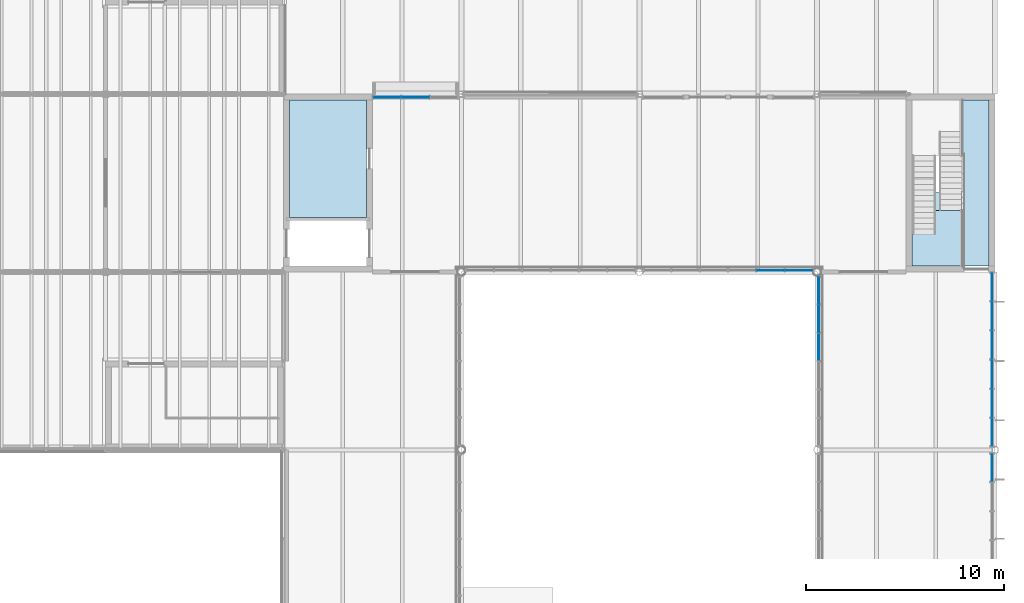
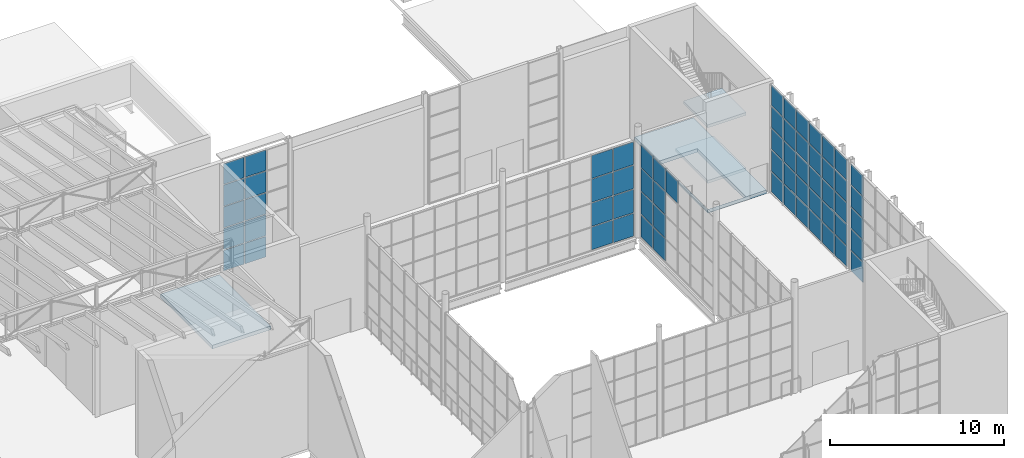
# One storey, part 73 of 90: 62 plates, 4 slabs, 6 elements without a shape of their own.
"""IFC4 building model written with IfcOpenShell, lengths in metres."""

from ifc_helpers import new_model, si_unit, direction, frame, origin, origin_2d, place, context, subcontext, project, spatial, polyline, rectangle, outline, extrude, material, layer, layer_set, type_object, element, aggregate, save


model = new_model("IFC4")

# Units and contexts
model_context = context("Model", 3, precision=1e-05, world=origin(), true_north=direction((0.0, 1.0)))
body_context = subcontext(model_context, "Body", "Model", "MODEL_VIEW")
ifc_project = project(units=[si_unit("LENGTHUNIT", "METRE"), si_unit("AREAUNIT", "SQUARE_METRE"), si_unit("VOLUMEUNIT", "CUBIC_METRE"), si_unit("PLANEANGLEUNIT", "RADIAN"), si_unit("MASSUNIT", "GRAM", prefix="KILO")], contexts=[model_context])

# Site, building, storey
site_placement = place(None, origin())
site = spatial("IfcSite", under=ifc_project, at=site_placement, CompositionType="ELEMENT")
building_placement = place(site_placement, origin())
building = spatial("IfcBuilding", under=site, at=building_placement, Name="Halyard Row Museum", CompositionType="ELEMENT")
storey_placement = place(building_placement, frame((0.0, 0.0, 13.39990234375)))
storey = spatial("IfcBuildingStorey", under=building, at=storey_placement, Name="L03", CompositionType="ELEMENT", Elevation=13.39990234375)

# Slabs
ifc_material_1 = material(Name="Concrete 40 MPa", Category="concrete")
ifc_layer_1 = layer(ifc_material_1, 0.25)
ifc_layer_set_1 = layer_set([ifc_layer_1], Name="Concrete 40 MPa")
slab_type_1 = type_object("IfcSlabType", Name="Core floor slab 250", PredefinedType="FLOOR", material=ifc_layer_set_1)
slab_1_placement = place(storey_placement, frame((0.0, 0.0, -0.25)))
element("IfcSlab", 1, at=slab_1_placement, inside=storey, type_object=slab_type_1, Name="Core floor K2C L03", PredefinedType="FLOOR", context=body_context, shape_type="SweptSolid", body=[
    extrude(outline(polyline([(107.699951171875, 35.699951171875), (103.800048828125, 35.699951171875), (103.800048828125, 27.300048828125), (107.699951171875, 27.300048828125), (107.699951171875, 35.699951171875)]), holes=[polyline([(106.346923828125, 27.302978515625), (103.802978515625, 27.302978515625), (103.802978515625, 32.89697265625), (106.346923828125, 32.89697265625), (106.346923828125, 27.302978515625)])]), origin(), (0.0, 0.0, 1.0), 0.25),
])
slab_2_placement = place(storey_placement, frame((0.0, 0.0, -0.25)))
element("IfcSlab", 2, at=slab_2_placement, inside=storey, type_object=slab_type_1, Name="Core floor K7 L03", PredefinedType="FLOOR", context=body_context, shape_type="SweptSolid", body=[
    extrude(outline(polyline([(76.199951171875, 35.699951171875), (72.300048828125, 35.699951171875), (72.300048828125, 29.75), (76.199951171875, 29.75), (76.199951171875, 35.699951171875)])), origin(), (0.0, 0.0, 1.0), 0.25),
])

# Curtain wall, plates
ifc_material_2 = material(Name="Double glazed unit, low-emissivity", Category="glass")
ifc_layer_2 = layer(ifc_material_2, 0.219970703125)
ifc_layer_set_2 = layer_set([ifc_layer_2], Name="Double glazed unit, low-emissivity")
curtain_wall_type_1 = type_object("IfcCurtainWallType", Name="Curtain wall unitised 220 deep", PredefinedType="NOTDEFINED", material=ifc_layer_set_2)
curtain_wall_1_placement = place(storey_placement, origin())
curtain_wall_1 = element("IfcCurtainWall", 3, at=curtain_wall_1_placement, inside=storey, type_object=curtain_wall_type_1, Name="Curtain wall CW048", PredefinedType="NOTDEFINED")
ifc_material_3 = material(Name="Double glazed unit, low-emissivity", Category="glass")
ifc_layer_3 = layer(ifc_material_3, 0.035888671875)
ifc_layer_set_3 = layer_set([ifc_layer_3], Name="Double glazed unit, low-emissivity")
plate_type_1 = type_object("IfcPlateType", Name="Curtain wall glazed panel CP3 36", PredefinedType="CURTAIN_PANEL", material=ifc_layer_set_3)
plate_1_placement = place(storey_placement, frame((107.840087890625, 17.097412109375, 0.06005859375), z_axis=(0.0, 0.0, 1.0), x_axis=(0.0, 1.0, 0.0)))
plate_1 = element("IfcPlate", 4, at=plate_1_placement, type_object=plate_type_1, Name="CW048 panel 6.1", PredefinedType="CURTAIN_PANEL", context=body_context, shape_type="SweptSolid", body=[
    extrude(rectangle(XDim=1.385009765625, YDim=0.035888671875, at=origin_2d()), origin(), (0.0, 0.0, 1.0), 1.43701171875),
])
plate_2_placement = place(storey_placement, frame((107.840087890625, 17.097412109375, 1.55712890625), z_axis=(0.0, 0.0, 1.0), x_axis=(0.0, 1.0, 0.0)))
plate_2 = element("IfcPlate", 5, at=plate_2_placement, type_object=plate_type_1, Name="CW048 panel 6.2", PredefinedType="CURTAIN_PANEL", context=body_context, shape_type="SweptSolid", body=[
    extrude(rectangle(XDim=1.385009765625, YDim=0.035888671875, at=origin_2d()), origin(), (0.0, 0.0, 1.0), 1.467041015625),
])
plate_3_placement = place(storey_placement, frame((107.840087890625, 17.097412109375, 3.083984375), z_axis=(0.0, 0.0, 1.0), x_axis=(0.0, 1.0, 0.0)))
plate_3 = element("IfcPlate", 6, at=plate_3_placement, type_object=plate_type_1, Name="CW048 panel 6.3", PredefinedType="CURTAIN_PANEL", context=body_context, shape_type="SweptSolid", body=[
    extrude(rectangle(XDim=1.385009765625, YDim=0.035888671875, at=origin_2d()), origin(), (0.0, 0.0, 1.0), 1.467041015625),
])
plate_4_placement = place(storey_placement, frame((107.840087890625, 17.097412109375, 4.61083984375), z_axis=(0.0, 0.0, 1.0), x_axis=(0.0, 1.0, 0.0)))
plate_4 = element("IfcPlate", 7, at=plate_4_placement, type_object=plate_type_1, Name="CW048 panel 6.4", PredefinedType="CURTAIN_PANEL", context=body_context, shape_type="SweptSolid", body=[
    extrude(rectangle(XDim=1.385009765625, YDim=0.035888671875, at=origin_2d()), origin(), (0.0, 0.0, 1.0), 1.467041015625),
])
plate_5_placement = place(storey_placement, frame((107.840087890625, 17.097412109375, 6.13818359375), z_axis=(0.0, 0.0, 1.0), x_axis=(0.0, 1.0, 0.0)))
plate_5 = element("IfcPlate", 8, at=plate_5_placement, type_object=plate_type_1, Name="CW048 panel 6.5", PredefinedType="CURTAIN_PANEL", context=body_context, shape_type="SweptSolid", body=[
    extrude(rectangle(XDim=1.385009765625, YDim=0.035888671875, at=origin_2d()), origin(), (0.0, 0.0, 1.0), 1.43701171875),
])
aggregate(curtain_wall_1, [plate_1, plate_2, plate_3, plate_4, plate_5])

curtain_wall_2_placement = place(storey_placement, origin())
curtain_wall_2 = element("IfcCurtainWall", 9, at=curtain_wall_2_placement, inside=storey, type_object=curtain_wall_type_1, Name="Curtain wall CW049", PredefinedType="NOTDEFINED")
plate_6_placement = place(storey_placement, frame((107.840087890625, 18.902587890625, 0.06005859375), z_axis=(0.0, 0.0, 1.0), x_axis=(0.0, 1.0, 0.0)))
plate_6 = element("IfcPlate", 10, at=plate_6_placement, type_object=plate_type_1, Name="CW049 panel 1.1", PredefinedType="CURTAIN_PANEL", context=body_context, shape_type="SweptSolid", body=[
    extrude(rectangle(XDim=1.385009765625, YDim=0.035888671875, at=origin_2d()), origin(), (0.0, 0.0, 1.0), 1.43701171875),
])
plate_7_placement = place(storey_placement, frame((107.840087890625, 18.902587890625, 1.55712890625), z_axis=(0.0, 0.0, 1.0), x_axis=(0.0, 1.0, 0.0)))
plate_7 = element("IfcPlate", 11, at=plate_7_placement, type_object=plate_type_1, Name="CW049 panel 1.2", PredefinedType="CURTAIN_PANEL", context=body_context, shape_type="SweptSolid", body=[
    extrude(rectangle(XDim=1.385009765625, YDim=0.035888671875, at=origin_2d()), origin(), (0.0, 0.0, 1.0), 1.467041015625),
])
plate_8_placement = place(storey_placement, frame((107.840087890625, 18.902587890625, 3.083984375), z_axis=(0.0, 0.0, 1.0), x_axis=(0.0, 1.0, 0.0)))
plate_8 = element("IfcPlate", 12, at=plate_8_placement, type_object=plate_type_1, Name="CW049 panel 1.3", PredefinedType="CURTAIN_PANEL", context=body_context, shape_type="SweptSolid", body=[
    extrude(rectangle(XDim=1.385009765625, YDim=0.035888671875, at=origin_2d()), origin(), (0.0, 0.0, 1.0), 1.467041015625),
])
plate_9_placement = place(storey_placement, frame((107.840087890625, 18.902587890625, 4.61083984375), z_axis=(0.0, 0.0, 1.0), x_axis=(0.0, 1.0, 0.0)))
plate_9 = element("IfcPlate", 13, at=plate_9_placement, type_object=plate_type_1, Name="CW049 panel 1.4", PredefinedType="CURTAIN_PANEL", context=body_context, shape_type="SweptSolid", body=[
    extrude(rectangle(XDim=1.385009765625, YDim=0.035888671875, at=origin_2d()), origin(), (0.0, 0.0, 1.0), 1.467041015625),
])
plate_10_placement = place(storey_placement, frame((107.840087890625, 18.902587890625, 6.13818359375), z_axis=(0.0, 0.0, 1.0), x_axis=(0.0, 1.0, 0.0)))
plate_10 = element("IfcPlate", 14, at=plate_10_placement, type_object=plate_type_1, Name="CW049 panel 1.5", PredefinedType="CURTAIN_PANEL", context=body_context, shape_type="SweptSolid", body=[
    extrude(rectangle(XDim=1.385009765625, YDim=0.035888671875, at=origin_2d()), origin(), (0.0, 0.0, 1.0), 1.43701171875),
])
plate_11_placement = place(storey_placement, frame((107.840087890625, 20.362548828125, 0.06005859375), z_axis=(0.0, 0.0, 1.0), x_axis=(0.0, 1.0, 0.0)))
plate_11 = element("IfcPlate", 15, at=plate_11_placement, type_object=plate_type_1, Name="CW049 panel 2.1", PredefinedType="CURTAIN_PANEL", context=body_context, shape_type="SweptSolid", body=[
    extrude(rectangle(XDim=1.4150390625, YDim=0.035888671875, at=origin_2d()), origin(), (0.0, 0.0, 1.0), 1.43701171875),
])
plate_12_placement = place(storey_placement, frame((107.840087890625, 20.362548828125, 1.55712890625), z_axis=(0.0, 0.0, 1.0), x_axis=(0.0, 1.0, 0.0)))
plate_12 = element("IfcPlate", 16, at=plate_12_placement, type_object=plate_type_1, Name="CW049 panel 2.2", PredefinedType="CURTAIN_PANEL", context=body_context, shape_type="SweptSolid", body=[
    extrude(rectangle(XDim=1.4150390625, YDim=0.035888671875, at=origin_2d()), origin(), (0.0, 0.0, 1.0), 1.467041015625),
])
plate_13_placement = place(storey_placement, frame((107.840087890625, 20.362548828125, 3.083984375), z_axis=(0.0, 0.0, 1.0), x_axis=(0.0, 1.0, 0.0)))
plate_13 = element("IfcPlate", 17, at=plate_13_placement, type_object=plate_type_1, Name="CW049 panel 2.3", PredefinedType="CURTAIN_PANEL", context=body_context, shape_type="SweptSolid", body=[
    extrude(rectangle(XDim=1.4150390625, YDim=0.035888671875, at=origin_2d()), origin(), (0.0, 0.0, 1.0), 1.467041015625),
])
plate_14_placement = place(storey_placement, frame((107.840087890625, 20.362548828125, 4.61083984375), z_axis=(0.0, 0.0, 1.0), x_axis=(0.0, 1.0, 0.0)))
plate_14 = element("IfcPlate", 18, at=plate_14_placement, type_object=plate_type_1, Name="CW049 panel 2.4", PredefinedType="CURTAIN_PANEL", context=body_context, shape_type="SweptSolid", body=[
    extrude(rectangle(XDim=1.4150390625, YDim=0.035888671875, at=origin_2d()), origin(), (0.0, 0.0, 1.0), 1.467041015625),
])
plate_15_placement = place(storey_placement, frame((107.840087890625, 20.362548828125, 6.13818359375), z_axis=(0.0, 0.0, 1.0), x_axis=(0.0, 1.0, 0.0)))
plate_15 = element("IfcPlate", 19, at=plate_15_placement, type_object=plate_type_1, Name="CW049 panel 2.5", PredefinedType="CURTAIN_PANEL", context=body_context, shape_type="SweptSolid", body=[
    extrude(rectangle(XDim=1.4150390625, YDim=0.035888671875, at=origin_2d()), origin(), (0.0, 0.0, 1.0), 1.43701171875),
])
plate_16_placement = place(storey_placement, frame((107.840087890625, 21.83740234375, 0.06005859375), z_axis=(0.0, 0.0, 1.0), x_axis=(0.0, 1.0, 0.0)))
plate_16 = element("IfcPlate", 20, at=plate_16_placement, type_object=plate_type_1, Name="CW049 panel 3.1", PredefinedType="CURTAIN_PANEL", context=body_context, shape_type="SweptSolid", body=[
    extrude(rectangle(XDim=1.4150390625, YDim=0.035888671875, at=origin_2d()), origin(), (0.0, 0.0, 1.0), 1.43701171875),
])
plate_17_placement = place(storey_placement, frame((107.840087890625, 21.83740234375, 1.55712890625), z_axis=(0.0, 0.0, 1.0), x_axis=(0.0, 1.0, 0.0)))
plate_17 = element("IfcPlate", 21, at=plate_17_placement, type_object=plate_type_1, Name="CW049 panel 3.2", PredefinedType="CURTAIN_PANEL", context=body_context, shape_type="SweptSolid", body=[
    extrude(rectangle(XDim=1.4150390625, YDim=0.035888671875, at=origin_2d()), origin(), (0.0, 0.0, 1.0), 1.467041015625),
])
plate_18_placement = place(storey_placement, frame((107.840087890625, 21.83740234375, 3.083984375), z_axis=(0.0, 0.0, 1.0), x_axis=(0.0, 1.0, 0.0)))
plate_18 = element("IfcPlate", 22, at=plate_18_placement, type_object=plate_type_1, Name="CW049 panel 3.3", PredefinedType="CURTAIN_PANEL", context=body_context, shape_type="SweptSolid", body=[
    extrude(rectangle(XDim=1.4150390625, YDim=0.035888671875, at=origin_2d()), origin(), (0.0, 0.0, 1.0), 1.467041015625),
])
plate_19_placement = place(storey_placement, frame((107.840087890625, 21.83740234375, 4.61083984375), z_axis=(0.0, 0.0, 1.0), x_axis=(0.0, 1.0, 0.0)))
plate_19 = element("IfcPlate", 23, at=plate_19_placement, type_object=plate_type_1, Name="CW049 panel 3.4", PredefinedType="CURTAIN_PANEL", context=body_context, shape_type="SweptSolid", body=[
    extrude(rectangle(XDim=1.4150390625, YDim=0.035888671875, at=origin_2d()), origin(), (0.0, 0.0, 1.0), 1.467041015625),
])
plate_20_placement = place(storey_placement, frame((107.840087890625, 21.83740234375, 6.13818359375), z_axis=(0.0, 0.0, 1.0), x_axis=(0.0, 1.0, 0.0)))
plate_20 = element("IfcPlate", 24, at=plate_20_placement, type_object=plate_type_1, Name="CW049 panel 3.5", PredefinedType="CURTAIN_PANEL", context=body_context, shape_type="SweptSolid", body=[
    extrude(rectangle(XDim=1.4150390625, YDim=0.035888671875, at=origin_2d()), origin(), (0.0, 0.0, 1.0), 1.43701171875),
])
plate_21_placement = place(storey_placement, frame((107.840087890625, 23.3125, 0.06005859375), z_axis=(0.0, 0.0, 1.0), x_axis=(0.0, 1.0, 0.0)))
plate_21 = element("IfcPlate", 25, at=plate_21_placement, type_object=plate_type_1, Name="CW049 panel 4.1", PredefinedType="CURTAIN_PANEL", context=body_context, shape_type="SweptSolid", body=[
    extrude(rectangle(XDim=1.4150390625, YDim=0.035888671875, at=origin_2d()), origin(), (0.0, 0.0, 1.0), 1.43701171875),
])
plate_22_placement = place(storey_placement, frame((107.840087890625, 23.3125, 1.55712890625), z_axis=(0.0, 0.0, 1.0), x_axis=(0.0, 1.0, 0.0)))
plate_22 = element("IfcPlate", 26, at=plate_22_placement, type_object=plate_type_1, Name="CW049 panel 4.2", PredefinedType="CURTAIN_PANEL", context=body_context, shape_type="SweptSolid", body=[
    extrude(rectangle(XDim=1.4150390625, YDim=0.035888671875, at=origin_2d()), origin(), (0.0, 0.0, 1.0), 1.467041015625),
])
plate_23_placement = place(storey_placement, frame((107.840087890625, 23.3125, 3.083984375), z_axis=(0.0, 0.0, 1.0), x_axis=(0.0, 1.0, 0.0)))
plate_23 = element("IfcPlate", 27, at=plate_23_placement, type_object=plate_type_1, Name="CW049 panel 4.3", PredefinedType="CURTAIN_PANEL", context=body_context, shape_type="SweptSolid", body=[
    extrude(rectangle(XDim=1.4150390625, YDim=0.035888671875, at=origin_2d()), origin(), (0.0, 0.0, 1.0), 1.467041015625),
])
plate_24_placement = place(storey_placement, frame((107.840087890625, 23.3125, 4.61083984375), z_axis=(0.0, 0.0, 1.0), x_axis=(0.0, 1.0, 0.0)))
plate_24 = element("IfcPlate", 28, at=plate_24_placement, type_object=plate_type_1, Name="CW049 panel 4.4", PredefinedType="CURTAIN_PANEL", context=body_context, shape_type="SweptSolid", body=[
    extrude(rectangle(XDim=1.4150390625, YDim=0.035888671875, at=origin_2d()), origin(), (0.0, 0.0, 1.0), 1.467041015625),
])
plate_25_placement = place(storey_placement, frame((107.840087890625, 23.3125, 6.13818359375), z_axis=(0.0, 0.0, 1.0), x_axis=(0.0, 1.0, 0.0)))
plate_25 = element("IfcPlate", 29, at=plate_25_placement, type_object=plate_type_1, Name="CW049 panel 4.5", PredefinedType="CURTAIN_PANEL", context=body_context, shape_type="SweptSolid", body=[
    extrude(rectangle(XDim=1.4150390625, YDim=0.035888671875, at=origin_2d()), origin(), (0.0, 0.0, 1.0), 1.43701171875),
])
plate_26_placement = place(storey_placement, frame((107.840087890625, 24.78759765625, 0.06005859375), z_axis=(0.0, 0.0, 1.0), x_axis=(0.0, 1.0, 0.0)))
plate_26 = element("IfcPlate", 30, at=plate_26_placement, type_object=plate_type_1, Name="CW049 panel 5.1", PredefinedType="CURTAIN_PANEL", context=body_context, shape_type="SweptSolid", body=[
    extrude(rectangle(XDim=1.4150390625, YDim=0.035888671875, at=origin_2d()), origin(), (0.0, 0.0, 1.0), 1.43701171875),
])
plate_27_placement = place(storey_placement, frame((107.840087890625, 24.78759765625, 1.55712890625), z_axis=(0.0, 0.0, 1.0), x_axis=(0.0, 1.0, 0.0)))
plate_27 = element("IfcPlate", 31, at=plate_27_placement, type_object=plate_type_1, Name="CW049 panel 5.2", PredefinedType="CURTAIN_PANEL", context=body_context, shape_type="SweptSolid", body=[
    extrude(rectangle(XDim=1.4150390625, YDim=0.035888671875, at=origin_2d()), origin(), (0.0, 0.0, 1.0), 1.467041015625),
])
plate_28_placement = place(storey_placement, frame((107.840087890625, 24.78759765625, 3.083984375), z_axis=(0.0, 0.0, 1.0), x_axis=(0.0, 1.0, 0.0)))
plate_28 = element("IfcPlate", 32, at=plate_28_placement, type_object=plate_type_1, Name="CW049 panel 5.3", PredefinedType="CURTAIN_PANEL", context=body_context, shape_type="SweptSolid", body=[
    extrude(rectangle(XDim=1.4150390625, YDim=0.035888671875, at=origin_2d()), origin(), (0.0, 0.0, 1.0), 1.467041015625),
])
plate_29_placement = place(storey_placement, frame((107.840087890625, 24.78759765625, 4.61083984375), z_axis=(0.0, 0.0, 1.0), x_axis=(0.0, 1.0, 0.0)))
plate_29 = element("IfcPlate", 33, at=plate_29_placement, type_object=plate_type_1, Name="CW049 panel 5.4", PredefinedType="CURTAIN_PANEL", context=body_context, shape_type="SweptSolid", body=[
    extrude(rectangle(XDim=1.4150390625, YDim=0.035888671875, at=origin_2d()), origin(), (0.0, 0.0, 1.0), 1.467041015625),
])
plate_30_placement = place(storey_placement, frame((107.840087890625, 24.78759765625, 6.13818359375), z_axis=(0.0, 0.0, 1.0), x_axis=(0.0, 1.0, 0.0)))
plate_30 = element("IfcPlate", 34, at=plate_30_placement, type_object=plate_type_1, Name="CW049 panel 5.5", PredefinedType="CURTAIN_PANEL", context=body_context, shape_type="SweptSolid", body=[
    extrude(rectangle(XDim=1.4150390625, YDim=0.035888671875, at=origin_2d()), origin(), (0.0, 0.0, 1.0), 1.43701171875),
])
plate_31_placement = place(storey_placement, frame((107.840087890625, 26.24755859375, 0.06005859375), z_axis=(0.0, 0.0, 1.0), x_axis=(0.0, 1.0, 0.0)))
plate_31 = element("IfcPlate", 35, at=plate_31_placement, type_object=plate_type_1, Name="CW049 panel 6.1", PredefinedType="CURTAIN_PANEL", context=body_context, shape_type="SweptSolid", body=[
    extrude(rectangle(XDim=1.385009765625, YDim=0.035888671875, at=origin_2d()), origin(), (0.0, 0.0, 1.0), 1.43701171875),
])
plate_32_placement = place(storey_placement, frame((107.840087890625, 26.24755859375, 1.55712890625), z_axis=(0.0, 0.0, 1.0), x_axis=(0.0, 1.0, 0.0)))
plate_32 = element("IfcPlate", 36, at=plate_32_placement, type_object=plate_type_1, Name="CW049 panel 6.2", PredefinedType="CURTAIN_PANEL", context=body_context, shape_type="SweptSolid", body=[
    extrude(rectangle(XDim=1.385009765625, YDim=0.035888671875, at=origin_2d()), origin(), (0.0, 0.0, 1.0), 1.467041015625),
])
plate_33_placement = place(storey_placement, frame((107.840087890625, 26.24755859375, 3.083984375), z_axis=(0.0, 0.0, 1.0), x_axis=(0.0, 1.0, 0.0)))
plate_33 = element("IfcPlate", 37, at=plate_33_placement, type_object=plate_type_1, Name="CW049 panel 6.3", PredefinedType="CURTAIN_PANEL", context=body_context, shape_type="SweptSolid", body=[
    extrude(rectangle(XDim=1.385009765625, YDim=0.035888671875, at=origin_2d()), origin(), (0.0, 0.0, 1.0), 1.467041015625),
])
plate_34_placement = place(storey_placement, frame((107.840087890625, 26.24755859375, 4.61083984375), z_axis=(0.0, 0.0, 1.0), x_axis=(0.0, 1.0, 0.0)))
plate_34 = element("IfcPlate", 38, at=plate_34_placement, type_object=plate_type_1, Name="CW049 panel 6.4", PredefinedType="CURTAIN_PANEL", context=body_context, shape_type="SweptSolid", body=[
    extrude(rectangle(XDim=1.385009765625, YDim=0.035888671875, at=origin_2d()), origin(), (0.0, 0.0, 1.0), 1.467041015625),
])
plate_35_placement = place(storey_placement, frame((107.840087890625, 26.24755859375, 6.13818359375), z_axis=(0.0, 0.0, 1.0), x_axis=(0.0, 1.0, 0.0)))
plate_35 = element("IfcPlate", 39, at=plate_35_placement, type_object=plate_type_1, Name="CW049 panel 6.5", PredefinedType="CURTAIN_PANEL", context=body_context, shape_type="SweptSolid", body=[
    extrude(rectangle(XDim=1.385009765625, YDim=0.035888671875, at=origin_2d()), origin(), (0.0, 0.0, 1.0), 1.43701171875),
])
aggregate(curtain_wall_2, [plate_6, plate_7, plate_8, plate_9, plate_10, plate_11, plate_12, plate_13, plate_14, plate_15, plate_16, plate_17, plate_18, plate_19, plate_20, plate_21, plate_22, plate_23, plate_24, plate_25, plate_26, plate_27, plate_28, plate_29, plate_30, plate_31, plate_32, plate_33, plate_34, plate_35])

curtain_wall_3_placement = place(storey_placement, origin())
curtain_wall_3 = element("IfcCurtainWall", 40, at=curtain_wall_3_placement, inside=storey, type_object=curtain_wall_type_1, Name="Curtain wall CW052", PredefinedType="NOTDEFINED")
plate_36_placement = place(storey_placement, frame((78.675048828125, 35.840087890625, 0.06005859375), z_axis=(0.0, 0.0, 1.0), x_axis=(-1.0, 0.0, 0.0)))
plate_36 = element("IfcPlate", 41, at=plate_36_placement, type_object=plate_type_1, Name="CW052 panel 2.1", PredefinedType="CURTAIN_PANEL", context=body_context, shape_type="SweptSolid", body=[
    extrude(rectangle(XDim=1.389892578125, YDim=0.035888671875, at=origin_2d()), origin(), (0.0, 0.0, 1.0), 1.43701171875),
])
plate_37_placement = place(storey_placement, frame((78.675048828125, 35.840087890625, 1.55712890625), z_axis=(0.0, 0.0, 1.0), x_axis=(-1.0, 0.0, 0.0)))
plate_37 = element("IfcPlate", 42, at=plate_37_placement, type_object=plate_type_1, Name="CW052 panel 2.2", PredefinedType="CURTAIN_PANEL", context=body_context, shape_type="SweptSolid", body=[
    extrude(rectangle(XDim=1.389892578125, YDim=0.035888671875, at=origin_2d()), origin(), (0.0, 0.0, 1.0), 1.467041015625),
])
plate_38_placement = place(storey_placement, frame((78.675048828125, 35.840087890625, 3.083984375), z_axis=(0.0, 0.0, 1.0), x_axis=(-1.0, 0.0, 0.0)))
plate_38 = element("IfcPlate", 43, at=plate_38_placement, type_object=plate_type_1, Name="CW052 panel 2.3", PredefinedType="CURTAIN_PANEL", context=body_context, shape_type="SweptSolid", body=[
    extrude(rectangle(XDim=1.389892578125, YDim=0.035888671875, at=origin_2d()), origin(), (0.0, 0.0, 1.0), 1.467041015625),
])
plate_39_placement = place(storey_placement, frame((78.675048828125, 35.840087890625, 4.61083984375), z_axis=(0.0, 0.0, 1.0), x_axis=(-1.0, 0.0, 0.0)))
plate_39 = element("IfcPlate", 44, at=plate_39_placement, type_object=plate_type_1, Name="CW052 panel 2.4", PredefinedType="CURTAIN_PANEL", context=body_context, shape_type="SweptSolid", body=[
    extrude(rectangle(XDim=1.389892578125, YDim=0.035888671875, at=origin_2d()), origin(), (0.0, 0.0, 1.0), 1.467041015625),
])
plate_40_placement = place(storey_placement, frame((78.675048828125, 35.840087890625, 6.13818359375), z_axis=(0.0, 0.0, 1.0), x_axis=(-1.0, 0.0, 0.0)))
plate_40 = element("IfcPlate", 45, at=plate_40_placement, type_object=plate_type_1, Name="CW052 panel 2.5", PredefinedType="CURTAIN_PANEL", context=body_context, shape_type="SweptSolid", body=[
    extrude(rectangle(XDim=1.389892578125, YDim=0.035888671875, at=origin_2d()), origin(), (0.0, 0.0, 1.0), 1.43701171875),
])
plate_41_placement = place(storey_placement, frame((77.239990234375, 35.840087890625, 0.06005859375), z_axis=(0.0, 0.0, 1.0), x_axis=(-1.0, 0.0, 0.0)))
plate_41 = element("IfcPlate", 46, at=plate_41_placement, type_object=plate_type_1, Name="CW052 panel 3.1", PredefinedType="CURTAIN_PANEL", context=body_context, shape_type="SweptSolid", body=[
    extrude(rectangle(XDim=1.360107421875, YDim=0.035888671875, at=origin_2d()), origin(), (0.0, 0.0, 1.0), 1.43701171875),
])
plate_42_placement = place(storey_placement, frame((77.239990234375, 35.840087890625, 1.55712890625), z_axis=(0.0, 0.0, 1.0), x_axis=(-1.0, 0.0, 0.0)))
plate_42 = element("IfcPlate", 47, at=plate_42_placement, type_object=plate_type_1, Name="CW052 panel 3.2", PredefinedType="CURTAIN_PANEL", context=body_context, shape_type="SweptSolid", body=[
    extrude(rectangle(XDim=1.360107421875, YDim=0.035888671875, at=origin_2d()), origin(), (0.0, 0.0, 1.0), 1.467041015625),
])
plate_43_placement = place(storey_placement, frame((77.239990234375, 35.840087890625, 3.083984375), z_axis=(0.0, 0.0, 1.0), x_axis=(-1.0, 0.0, 0.0)))
plate_43 = element("IfcPlate", 48, at=plate_43_placement, type_object=plate_type_1, Name="CW052 panel 3.3", PredefinedType="CURTAIN_PANEL", context=body_context, shape_type="SweptSolid", body=[
    extrude(rectangle(XDim=1.360107421875, YDim=0.035888671875, at=origin_2d()), origin(), (0.0, 0.0, 1.0), 1.467041015625),
])
plate_44_placement = place(storey_placement, frame((77.239990234375, 35.840087890625, 4.61083984375), z_axis=(0.0, 0.0, 1.0), x_axis=(-1.0, 0.0, 0.0)))
plate_44 = element("IfcPlate", 49, at=plate_44_placement, type_object=plate_type_1, Name="CW052 panel 3.4", PredefinedType="CURTAIN_PANEL", context=body_context, shape_type="SweptSolid", body=[
    extrude(rectangle(XDim=1.360107421875, YDim=0.035888671875, at=origin_2d()), origin(), (0.0, 0.0, 1.0), 1.467041015625),
])
plate_45_placement = place(storey_placement, frame((77.239990234375, 35.840087890625, 6.13818359375), z_axis=(0.0, 0.0, 1.0), x_axis=(-1.0, 0.0, 0.0)))
plate_45 = element("IfcPlate", 50, at=plate_45_placement, type_object=plate_type_1, Name="CW052 panel 3.5", PredefinedType="CURTAIN_PANEL", context=body_context, shape_type="SweptSolid", body=[
    extrude(rectangle(XDim=1.360107421875, YDim=0.035888671875, at=origin_2d()), origin(), (0.0, 0.0, 1.0), 1.43701171875),
])
aggregate(curtain_wall_3, [plate_36, plate_37, plate_38, plate_39, plate_40, plate_41, plate_42, plate_43, plate_44, plate_45])

ifc_material_4 = material(Name="Fire-resisting laminated glazing", Category="glass")
ifc_layer_4 = layer(ifc_material_4, 0.159912109375)
ifc_layer_set_4 = layer_set([ifc_layer_4], Name="Fire-resisting laminated glazing")
curtain_wall_type_2 = type_object("IfcCurtainWallType", Name="Curtain wall atrium screen 160 deep", PredefinedType="NOTDEFINED", material=ifc_layer_set_4)
curtain_wall_4_placement = place(storey_placement, origin())
curtain_wall_4 = element("IfcCurtainWall", 51, at=curtain_wall_4_placement, inside=storey, type_object=curtain_wall_type_2, Name="Curtain wall CW097", PredefinedType="NOTDEFINED")
ifc_material_5 = material(Name="Fire-resisting laminated glazing", Category="glass")
ifc_layer_5 = layer(ifc_material_5, 0.0400390625)
ifc_layer_set_5 = layer_set([ifc_layer_5], Name="Fire-resisting laminated glazing")
plate_type_2 = type_object("IfcPlateType", Name="Curtain wall glazed panel CP5 40", PredefinedType="CURTAIN_PANEL", material=ifc_layer_set_5)
plate_46_placement = place(storey_placement, frame((99.080078125, 23.20556640625, 4.968994140625), z_axis=(0.0, 0.0, 1.0), x_axis=(0.0, 1.0, 0.0)))
plate_46 = element("IfcPlate", 52, at=plate_46_placement, type_object=plate_type_2, Name="CW097 panel 4.4", PredefinedType="CURTAIN_PANEL", context=body_context, shape_type="SweptSolid", body=[
    extrude(rectangle(XDim=1.37646484375, YDim=0.0400390625, at=origin_2d()), origin(), (0.0, 0.0, 1.0), 1.55615234375),
])
plate_47_placement = place(storey_placement, frame((99.080078125, 24.64208984375, 0.06005859375), z_axis=(0.0, 0.0, 1.0), x_axis=(0.0, 1.0, 0.0)))
plate_47 = element("IfcPlate", 53, at=plate_47_placement, type_object=plate_type_2, Name="CW097 panel 5.1", PredefinedType="CURTAIN_PANEL", context=body_context, shape_type="SweptSolid", body=[
    extrude(rectangle(XDim=1.37646484375, YDim=0.0400390625, at=origin_2d()), origin(), (0.0, 0.0, 1.0), 1.55615234375),
])
plate_48_placement = place(storey_placement, frame((99.080078125, 24.64208984375, 1.67626953125), z_axis=(0.0, 0.0, 1.0), x_axis=(0.0, 1.0, 0.0)))
plate_48 = element("IfcPlate", 54, at=plate_48_placement, type_object=plate_type_2, Name="CW097 panel 5.2", PredefinedType="CURTAIN_PANEL", context=body_context, shape_type="SweptSolid", body=[
    extrude(rectangle(XDim=1.37646484375, YDim=0.0400390625, at=origin_2d()), origin(), (0.0, 0.0, 1.0), 1.586181640625),
])
plate_49_placement = place(storey_placement, frame((99.080078125, 24.64208984375, 3.32275390625), z_axis=(0.0, 0.0, 1.0), x_axis=(0.0, 1.0, 0.0)))
plate_49 = element("IfcPlate", 55, at=plate_49_placement, type_object=plate_type_2, Name="CW097 panel 5.3", PredefinedType="CURTAIN_PANEL", context=body_context, shape_type="SweptSolid", body=[
    extrude(rectangle(XDim=1.37646484375, YDim=0.0400390625, at=origin_2d()), origin(), (0.0, 0.0, 1.0), 1.586181640625),
])
plate_50_placement = place(storey_placement, frame((99.080078125, 24.64208984375, 4.968994140625), z_axis=(0.0, 0.0, 1.0), x_axis=(0.0, 1.0, 0.0)))
plate_50 = element("IfcPlate", 56, at=plate_50_placement, type_object=plate_type_2, Name="CW097 panel 5.4", PredefinedType="CURTAIN_PANEL", context=body_context, shape_type="SweptSolid", body=[
    extrude(rectangle(XDim=1.37646484375, YDim=0.0400390625, at=origin_2d()), origin(), (0.0, 0.0, 1.0), 1.55615234375),
])
plate_51_placement = place(storey_placement, frame((99.080078125, 26.0634765625, 0.06005859375), z_axis=(0.0, 0.0, 1.0), x_axis=(0.0, 1.0, 0.0)))
plate_51 = element("IfcPlate", 57, at=plate_51_placement, type_object=plate_type_2, Name="CW097 panel 6.1", PredefinedType="CURTAIN_PANEL", context=body_context, shape_type="SweptSolid", body=[
    extrude(rectangle(XDim=1.346435546875, YDim=0.0400390625, at=origin_2d()), origin(), (0.0, 0.0, 1.0), 1.55615234375),
])
plate_52_placement = place(storey_placement, frame((99.080078125, 26.0634765625, 1.67626953125), z_axis=(0.0, 0.0, 1.0), x_axis=(0.0, 1.0, 0.0)))
plate_52 = element("IfcPlate", 58, at=plate_52_placement, type_object=plate_type_2, Name="CW097 panel 6.2", PredefinedType="CURTAIN_PANEL", context=body_context, shape_type="SweptSolid", body=[
    extrude(rectangle(XDim=1.346435546875, YDim=0.0400390625, at=origin_2d()), origin(), (0.0, 0.0, 1.0), 1.586181640625),
])
plate_53_placement = place(storey_placement, frame((99.080078125, 26.0634765625, 3.32275390625), z_axis=(0.0, 0.0, 1.0), x_axis=(0.0, 1.0, 0.0)))
plate_53 = element("IfcPlate", 59, at=plate_53_placement, type_object=plate_type_2, Name="CW097 panel 6.3", PredefinedType="CURTAIN_PANEL", context=body_context, shape_type="SweptSolid", body=[
    extrude(rectangle(XDim=1.346435546875, YDim=0.0400390625, at=origin_2d()), origin(), (0.0, 0.0, 1.0), 1.586181640625),
])
plate_54_placement = place(storey_placement, frame((99.080078125, 26.0634765625, 4.968994140625), z_axis=(0.0, 0.0, 1.0), x_axis=(0.0, 1.0, 0.0)))
plate_54 = element("IfcPlate", 60, at=plate_54_placement, type_object=plate_type_2, Name="CW097 panel 6.4", PredefinedType="CURTAIN_PANEL", context=body_context, shape_type="SweptSolid", body=[
    extrude(rectangle(XDim=1.346435546875, YDim=0.0400390625, at=origin_2d()), origin(), (0.0, 0.0, 1.0), 1.55615234375),
])
aggregate(curtain_wall_4, [plate_46, plate_47, plate_48, plate_49, plate_50, plate_51, plate_52, plate_53, plate_54])

curtain_wall_5_placement = place(storey_placement, origin())
curtain_wall_5 = element("IfcCurtainWall", 61, at=curtain_wall_5_placement, inside=storey, type_object=curtain_wall_type_2, Name="Curtain wall CW098", PredefinedType="NOTDEFINED")
plate_55_placement = place(storey_placement, frame((98.0634765625, 27.080078125, 0.06005859375), z_axis=(0.0, 0.0, 1.0), x_axis=(-1.0, 0.0, 0.0)))
plate_55 = element("IfcPlate", 62, at=plate_55_placement, type_object=plate_type_2, Name="CW098 panel 1.1", PredefinedType="CURTAIN_PANEL", context=body_context, shape_type="SweptSolid", body=[
    extrude(rectangle(XDim=1.346435546875, YDim=0.0400390625, at=origin_2d()), origin(), (0.0, 0.0, 1.0), 1.593017578125),
])
plate_56_placement = place(storey_placement, frame((98.0634765625, 27.080078125, 1.713134765625), z_axis=(0.0, 0.0, 1.0), x_axis=(-1.0, 0.0, 0.0)))
plate_56 = element("IfcPlate", 63, at=plate_56_placement, type_object=plate_type_2, Name="CW098 panel 1.2", PredefinedType="CURTAIN_PANEL", context=body_context, shape_type="SweptSolid", body=[
    extrude(rectangle(XDim=1.346435546875, YDim=0.0400390625, at=origin_2d()), origin(), (0.0, 0.0, 1.0), 1.623046875),
])
plate_57_placement = place(storey_placement, frame((98.0634765625, 27.080078125, 3.39599609375), z_axis=(0.0, 0.0, 1.0), x_axis=(-1.0, 0.0, 0.0)))
plate_57 = element("IfcPlate", 64, at=plate_57_placement, type_object=plate_type_2, Name="CW098 panel 1.3", PredefinedType="CURTAIN_PANEL", context=body_context, shape_type="SweptSolid", body=[
    extrude(rectangle(XDim=1.346435546875, YDim=0.0400390625, at=origin_2d()), origin(), (0.0, 0.0, 1.0), 1.623046875),
])
plate_58_placement = place(storey_placement, frame((98.0634765625, 27.080078125, 5.0791015625), z_axis=(0.0, 0.0, 1.0), x_axis=(-1.0, 0.0, 0.0)))
plate_58 = element("IfcPlate", 65, at=plate_58_placement, type_object=plate_type_2, Name="CW098 panel 1.4", PredefinedType="CURTAIN_PANEL", context=body_context, shape_type="SweptSolid", body=[
    extrude(rectangle(XDim=1.346435546875, YDim=0.0400390625, at=origin_2d()), origin(), (0.0, 0.0, 1.0), 1.593017578125),
])
plate_59_placement = place(storey_placement, frame((96.64208984375, 27.080078125, 0.06005859375), z_axis=(0.0, 0.0, 1.0), x_axis=(-1.0, 0.0, 0.0)))
plate_59 = element("IfcPlate", 66, at=plate_59_placement, type_object=plate_type_2, Name="CW098 panel 2.1", PredefinedType="CURTAIN_PANEL", context=body_context, shape_type="SweptSolid", body=[
    extrude(rectangle(XDim=1.37646484375, YDim=0.0400390625, at=origin_2d()), origin(), (0.0, 0.0, 1.0), 1.593017578125),
])
plate_60_placement = place(storey_placement, frame((96.64208984375, 27.080078125, 1.713134765625), z_axis=(0.0, 0.0, 1.0), x_axis=(-1.0, 0.0, 0.0)))
plate_60 = element("IfcPlate", 67, at=plate_60_placement, type_object=plate_type_2, Name="CW098 panel 2.2", PredefinedType="CURTAIN_PANEL", context=body_context, shape_type="SweptSolid", body=[
    extrude(rectangle(XDim=1.37646484375, YDim=0.0400390625, at=origin_2d()), origin(), (0.0, 0.0, 1.0), 1.623046875),
])
plate_61_placement = place(storey_placement, frame((96.64208984375, 27.080078125, 3.39599609375), z_axis=(0.0, 0.0, 1.0), x_axis=(-1.0, 0.0, 0.0)))
plate_61 = element("IfcPlate", 68, at=plate_61_placement, type_object=plate_type_2, Name="CW098 panel 2.3", PredefinedType="CURTAIN_PANEL", context=body_context, shape_type="SweptSolid", body=[
    extrude(rectangle(XDim=1.37646484375, YDim=0.0400390625, at=origin_2d()), origin(), (0.0, 0.0, 1.0), 1.623046875),
])
plate_62_placement = place(storey_placement, frame((96.64208984375, 27.080078125, 5.0791015625), z_axis=(0.0, 0.0, 1.0), x_axis=(-1.0, 0.0, 0.0)))
plate_62 = element("IfcPlate", 69, at=plate_62_placement, type_object=plate_type_2, Name="CW098 panel 2.4", PredefinedType="CURTAIN_PANEL", context=body_context, shape_type="SweptSolid", body=[
    extrude(rectangle(XDim=1.37646484375, YDim=0.0400390625, at=origin_2d()), origin(), (0.0, 0.0, 1.0), 1.593017578125),
])
aggregate(curtain_wall_5, [plate_55, plate_56, plate_57, plate_58, plate_59, plate_60, plate_61, plate_62])

# Stair, slabs
ifc_material_6 = material(Name="Concrete 40 MPa", Category="concrete")
stair_type = type_object("IfcStairType", Name="Exit stair four flights 1200", PredefinedType="DOUBLE_RETURN_STAIR", material=ifc_material_6)
stair_placement = place(storey_placement, origin())
stair = element("IfcStair", 70, at=stair_placement, inside=storey, type_object=stair_type, Name="Exit stair K2C L03", PredefinedType="DOUBLE_RETURN_STAIR")
ifc_material_7 = material(Name="Concrete 40 MPa", Category="concrete")
ifc_layer_6 = layer(ifc_material_7, 0.199951171875)
ifc_layer_set_6 = layer_set([ifc_layer_6], Name="Concrete 40 MPa")
slab_type_2 = type_object("IfcSlabType", Name="Exit stair landing 200", PredefinedType="LANDING", material=ifc_layer_set_6)
slab_3_placement = place(storey_placement, frame((0.0, 0.0, 1.8349609375)))
slab_3 = element("IfcSlab", 71, at=slab_3_placement, type_object=slab_type_2, Name="STK2C-L03 landing 1", PredefinedType="LANDING", context=body_context, shape_type="SweptSolid", body=[
    extrude(outline(polyline([(106.35009765625, 31.02001953125), (103.800048828125, 31.02001953125), (103.800048828125, 27.300048828125), (106.35009765625, 27.300048828125), (106.35009765625, 31.02001953125)])), origin(), (0.0, 0.0, 1.0), 0.199951171875),
])
slab_4_placement = place(storey_placement, frame((0.0, 0.0, 5.73486328125)))
slab_4 = element("IfcSlab", 72, at=slab_4_placement, type_object=slab_type_2, Name="STK2C-L03 landing 3", PredefinedType="LANDING", context=body_context, shape_type="SweptSolid", body=[
    extrude(outline(polyline([(106.35009765625, 30.10009765625), (103.800048828125, 30.10009765625), (103.800048828125, 27.300048828125), (106.35009765625, 27.300048828125), (106.35009765625, 30.10009765625)])), origin(), (0.0, 0.0, 1.0), 0.199951171875),
])
aggregate(stair, [slab_3, slab_4])

save(model, "model.ifc")
